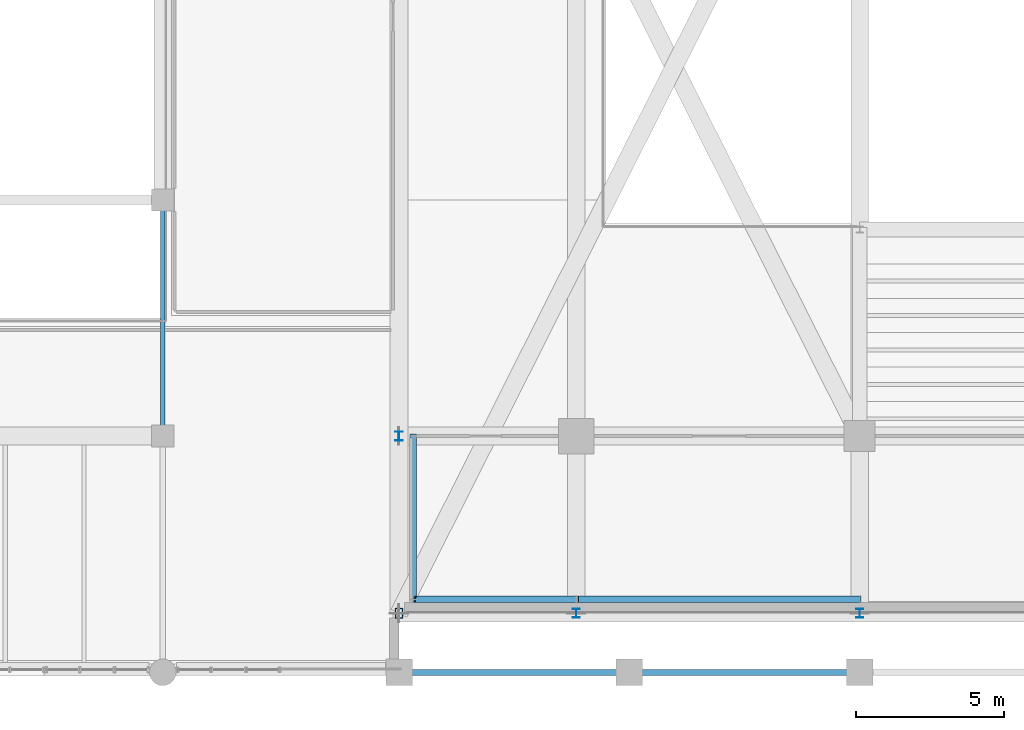
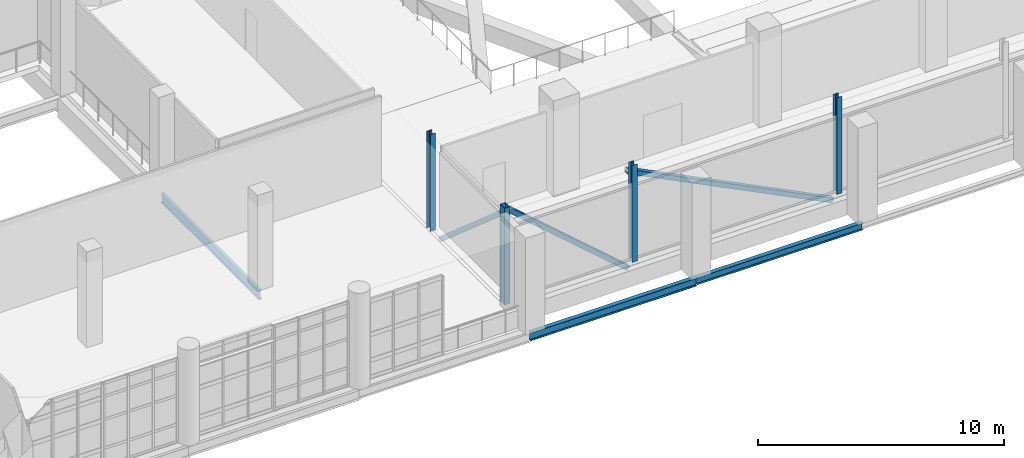
# One storey, part 19 of 100: 7 members, 3 beams.
"""IFC4 building model written with IfcOpenShell, lengths in metres."""

from ifc_helpers import new_model, si_unit, derived_unit, direction, frame, origin, origin_2d, place, context, subcontext, project, spatial, hollow_rectangle, i_section, extrude, material, material_profile, profile_set, type_object, element, save


model = new_model("IFC4")

# Units and contexts
model_context = context("Model", 3, precision=1e-05, world=origin(), true_north=direction((0.0, 1.0)))
body_context = subcontext(model_context, "Body", "Model", "MODEL_VIEW")
ifc_project = project(units=[si_unit("LENGTHUNIT", "METRE"), si_unit("AREAUNIT", "SQUARE_METRE"), si_unit("VOLUMEUNIT", "CUBIC_METRE"), si_unit("PLANEANGLEUNIT", "RADIAN"), si_unit("MASSUNIT", "GRAM", prefix="KILO"), derived_unit("THERMALTRANSMITTANCEUNIT", [(si_unit("POWERUNIT", "WATT"), 1), (si_unit("LENGTHUNIT", "METRE"), -2), (si_unit("THERMODYNAMICTEMPERATUREUNIT", "KELVIN"), -1)])], contexts=[model_context])

# Site, building, storey
site_placement = place(None, origin())
site = spatial("IfcSite", under=ifc_project, at=site_placement, CompositionType="ELEMENT")
building_placement = place(site_placement, origin())
building = spatial("IfcBuilding", under=site, at=building_placement, Name="Nallur Shell Playhouse", CompositionType="ELEMENT")
storey_placement = place(building_placement, frame((0.0, 0.0, 10.199951171875)))
storey = spatial("IfcBuildingStorey", under=building, at=storey_placement, Name="L03", CompositionType="ELEMENT", Elevation=10.199951171875)

# Beams
ifc_material = material(Name="Steel E350", Category="steel")
ifc_material_profile_1 = material_profile(ifc_material, i_section(OverallWidth=0.14990234375, OverallDepth=0.449951171875, WebThickness=0.009521484375, FlangeThickness=0.017333984375, FilletRadius=0.014892578125, at=origin_2d()), Name="ISMB 450")
ifc_profile_set_1 = profile_set([ifc_material_profile_1], Name="Steel E350")
beam_type_1 = type_object("IfcBeamType", Name="BM-ST-ISMB450", PredefinedType="BEAM", material=ifc_profile_set_1)
beam_1_placement = place(storey_placement, frame((56.0, 16.0, -0.48486328125), z_axis=(0.0, 1.0, 0.0), x_axis=(-1.0, 0.0, 0.0)))
element("IfcBeam", 1, at=beam_1_placement, inside=storey, type_object=beam_type_1, Name="L03 girder Y-7-651", PredefinedType="BEAM", context=body_context, shape_type="SweptSolid", body=[
    extrude(i_section(OverallWidth=0.14990234375, OverallDepth=0.449951171875, WebThickness=0.009521484375, FlangeThickness=0.017333984375, FilletRadius=0.014892578125, at=origin_2d()), origin(), (0.0, 0.0, 1.0), 8.0),
])
ifc_material_profile_2 = material_profile(ifc_material, i_section(OverallWidth=0.199951171875, OverallDepth=0.35009765625, WebThickness=0.008056640625, FlangeThickness=0.011474609375, FilletRadius=0.011962890625, at=origin_2d()), Name="ISWB 350")
ifc_profile_set_2 = profile_set([ifc_material_profile_2], Name="Steel E350")
beam_type_2 = type_object("IfcBeamType", Name="BM-ST-ISWB350", PredefinedType="BEAM", material=ifc_profile_set_2)
beam_2_placement = place(storey_placement, frame((71.800048828125, 8.0, -0.43505859375), z_axis=(1.0, 0.0, 0.0), x_axis=(0.0, 1.0, 0.0)))
element("IfcBeam", 2, at=beam_2_placement, inside=storey, type_object=beam_type_2, Name="L03 girder X-A-582", PredefinedType="BEAM", context=body_context, shape_type="SweptSolid", body=[
    extrude(i_section(OverallWidth=0.199951171875, OverallDepth=0.35009765625, WebThickness=0.008056640625, FlangeThickness=0.011474609375, FilletRadius=0.011962890625, at=origin_2d()), origin(), (0.0, 0.0, 1.0), 7.800048828125),
])
ifc_material_profile_3 = material_profile(ifc_material, i_section(OverallWidth=0.199951171875, OverallDepth=0.39990234375, WebThickness=0.008544921875, FlangeThickness=0.012939453125, FilletRadius=0.012939453125, at=origin_2d()), Name="ISWB 400")
ifc_profile_set_3 = profile_set([ifc_material_profile_3], Name="Steel E350")
beam_type_3 = type_object("IfcBeamType", Name="BM-ST-ISWB400", PredefinedType="BEAM", material=ifc_profile_set_3)
beam_3_placement = place(storey_placement, frame((64.0, 8.0, -0.4599609375), z_axis=(1.0, 0.0, 0.0), x_axis=(0.0, 1.0, 0.0)))
element("IfcBeam", 3, at=beam_3_placement, inside=storey, type_object=beam_type_3, Name="L03 girder X-A-581", PredefinedType="BEAM", context=body_context, shape_type="SweptSolid", body=[
    extrude(i_section(OverallWidth=0.199951171875, OverallDepth=0.39990234375, WebThickness=0.008544921875, FlangeThickness=0.012939453125, FilletRadius=0.012939453125, at=origin_2d()), origin(), (0.0, 0.0, 1.0), 7.800048828125),
])

# Members
ifc_material_profile_4 = material_profile(ifc_material, i_section(OverallWidth=0.25, OverallDepth=0.300048828125, WebThickness=0.009521484375, FlangeThickness=0.010498046875, FilletRadius=0.010986328125, at=origin_2d()), Name="ISHB 300")
ifc_profile_set_4 = profile_set([ifc_material_profile_4], Name="Steel E350")
member_type_1 = type_object("IfcMemberType", Name="MB-FASCIA-POST", PredefinedType="POST", material=ifc_profile_set_4)
for number, where, z_axis, x_axis, name in (
    (4, (70.0, 10.0, 0.0), (0.0, 0.0, 1.0), (1.0, 0.0, 0.0), "Cantilever truss fascia post POST-GB-L03-02"),
    (5, (79.60009765625, 10.0, 0.0), (0.0, 0.0, 1.0), (1.0, 0.0, 0.0), "Cantilever truss fascia post POST-GB-L03-03"),
    (6, (64.0, 16.0, 0.0), (0.0, 0.0, 1.0), (1.0, 0.0, 0.0), "Cantilever truss fascia post POST-GB-L03-12"),
):
    element("IfcMember", number, at=place(storey_placement, frame(where, z_axis=z_axis, x_axis=x_axis)), inside=storey, type_object=member_type_1, Name=name, PredefinedType="POST", context=body_context, shape_type="SweptSolid", body=[
        extrude(i_section(OverallWidth=0.25, OverallDepth=0.300048828125, WebThickness=0.009521484375, FlangeThickness=0.010498046875, FilletRadius=0.010986328125, at=origin_2d()), origin(), (0.0, 0.0, 1.0), 4.800048828125),
    ])
ifc_material_profile_5 = material_profile(ifc_material, hollow_rectangle(XDim=0.25, YDim=0.35009765625, WallThickness=0.01611328125, at=origin_2d()), Name="RHS 350x250x16")
ifc_profile_set_5 = profile_set([ifc_material_profile_5], Name="Steel E350")
member_type_2 = type_object("IfcMemberType", Name="MB-FASCIA-RHS", PredefinedType="POST", material=ifc_profile_set_5)
member_1_placement = place(storey_placement, frame((64.0, 10.0, 0.0), z_axis=(0.0, 0.0, 1.0), x_axis=(1.0, 0.0, 0.0)))
element("IfcMember", 7, at=member_1_placement, inside=storey, type_object=member_type_2, Name="Cantilever truss fascia post POST-GB-L03-01", PredefinedType="POST", context=body_context, shape_type="SweptSolid", body=[
    extrude(hollow_rectangle(XDim=0.25, YDim=0.35009765625, WallThickness=0.01611328125, at=origin_2d()), origin(), (0.0, 0.0, 1.0), 4.800048828125),
])
ifc_material_profile_6 = material_profile(ifc_material, hollow_rectangle(XDim=0.219970703125, YDim=0.219970703125, WallThickness=0.011962890625, at=origin_2d()), Name="SHS 220x220x12")
ifc_profile_set_6 = profile_set([ifc_material_profile_6], Name="Steel E350")
member_type_3 = type_object("IfcMemberType", Name="MB-FT-BRACE2", PredefinedType="BRACE", material=ifc_profile_set_6)
for number, where, z_axis, x_axis, name in (
    (8, (64.47998046875, 16.0, -0.659912109375), (0.0, -0.754603366631, 0.656181193779), (1.0, 0.0, 0.0), "Gold box fascia brace L03-1"),
    (9, (70.0, 10.47998046875, -0.659912109375), (-0.754603366631, 0.0, 0.656181193779), (0.0, -1.0, 0.0), "Gold box fascia brace L03-5"),
):
    element("IfcMember", number, at=place(storey_placement, frame(where, z_axis=z_axis, x_axis=x_axis)), inside=storey, type_object=member_type_3, Name=name, PredefinedType="BRACE", context=body_context, shape_type="SweptSolid", body=[
        extrude(hollow_rectangle(XDim=0.219970703125, YDim=0.219970703125, WallThickness=0.011962890625, at=origin_2d()), origin(), (0.0, 0.0, 1.0), 7.315185546875),
    ])
member_2_placement = place(storey_placement, frame((79.60009765625, 10.47998046875, -0.659912109375), z_axis=(-0.894427191, 0.0, 0.4472135955), x_axis=(0.0, -1.0, 0.0)))
element("IfcMember", 10, at=member_2_placement, inside=storey, type_object=member_type_3, Name="Gold box fascia brace L03-6", PredefinedType="BRACE", context=body_context, shape_type="SweptSolid", body=[
    extrude(hollow_rectangle(XDim=0.219970703125, YDim=0.219970703125, WallThickness=0.011962890625, at=origin_2d()), origin(), (0.0, 0.0, 1.0), 10.733154296875),
])

save(model, "model.ifc")
